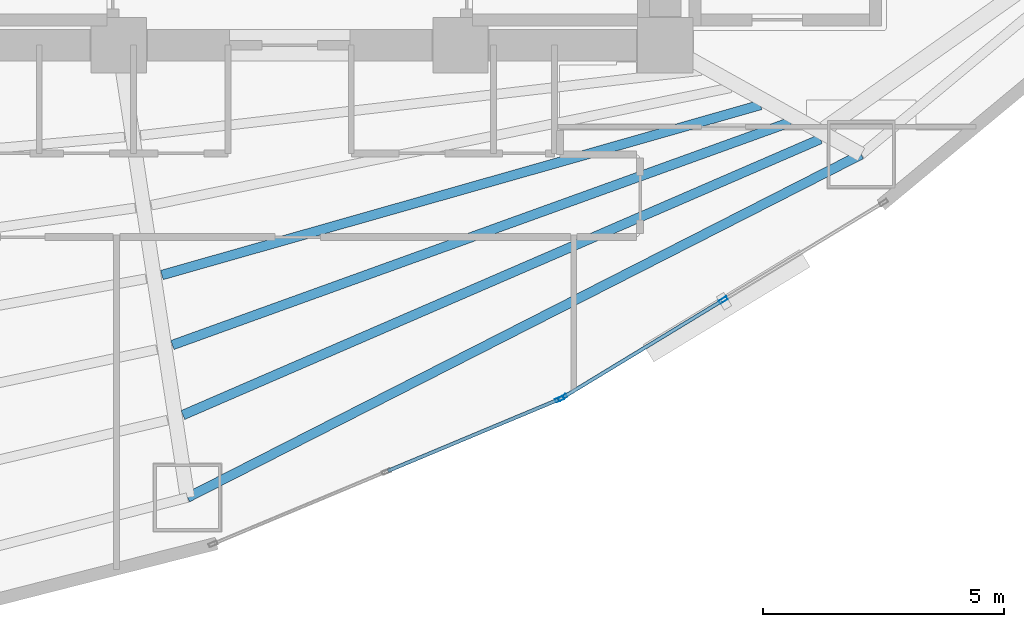
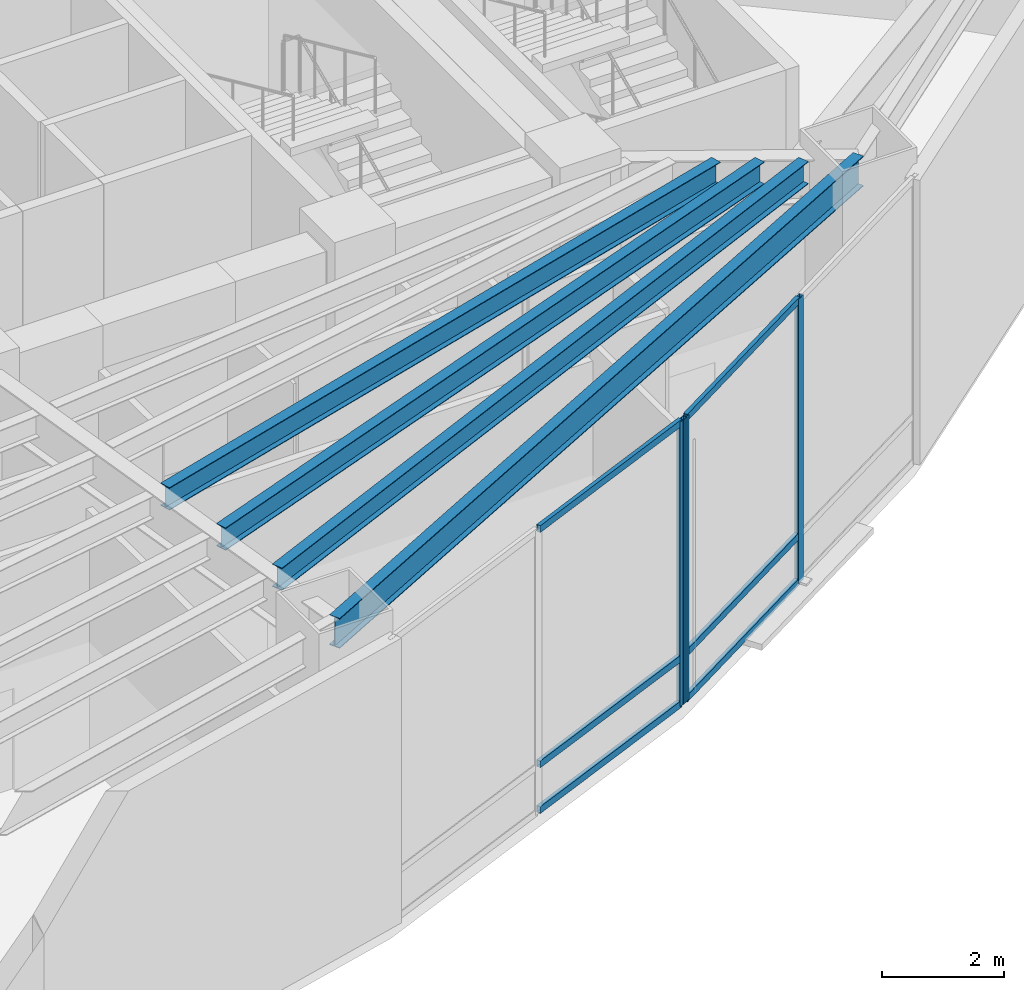
# One storey, part 5 of 19: 9 members, 4 beams, 2 elements without a shape of their own.
"""IFC4 building model written with IfcOpenShell, lengths in metres."""

from ifc_helpers import new_model, si_unit, direction, frame, origin, origin_2d, place, context, subcontext, project, spatial, hollow_rectangle, i_section, extrude, material, layer, layer_set, material_profile, profile_set, type_object, element, aggregate, save


model = new_model("IFC4")

# Units and contexts
model_context = context("Model", 3, precision=1e-05, world=origin(), true_north=direction((0.0, 1.0)))
body_context = subcontext(model_context, "Body", "Model", "MODEL_VIEW")
ifc_project = project(units=[si_unit("LENGTHUNIT", "METRE"), si_unit("AREAUNIT", "SQUARE_METRE"), si_unit("VOLUMEUNIT", "CUBIC_METRE"), si_unit("PLANEANGLEUNIT", "RADIAN"), si_unit("MASSUNIT", "GRAM", prefix="KILO")], contexts=[model_context])

# Site, building, storey
site_placement = place(None, origin())
site = spatial("IfcSite", under=ifc_project, at=site_placement, CompositionType="ELEMENT")
building_placement = place(site_placement, origin())
building = spatial("IfcBuilding", under=site, at=building_placement, Name="Menara Vayukalpa", CompositionType="ELEMENT")
storey_placement = place(building_placement, frame((0.0, 0.0, 12.0)))
storey = spatial("IfcBuildingStorey", under=building, at=storey_placement, Name="L02", CompositionType="ELEMENT", Elevation=12.0)

# Beams
ifc_material_1 = material(Name="Steel S355", Category="steel")
ifc_material_profile_1 = material_profile(ifc_material_1, i_section(OverallWidth=0.199951171875, OverallDepth=0.449951171875, WebThickness=0.009033203125, FlangeThickness=0.013916015625, at=origin_2d()), Name="WF 450x200x9x14")
ifc_profile_set_1 = profile_set([ifc_material_profile_1], Name="Steel S355")
beam_type_1 = type_object("IfcBeamType", Name="BM-SJ1", PredefinedType="JOIST", material=ifc_profile_set_1)
beam_1_placement = place(storey_placement, frame((22.945068359375, 12.423095703125, 5.455078125), z_axis=(0.961920522013, 0.273329305656, 0.0), x_axis=(-0.273329305656, 0.961920522013, 0.0)))
element("IfcBeam", 1, at=beam_1_placement, inside=storey, type_object=beam_type_1, Name="L02 Secondary Floor Joist SJ08-3", PredefinedType="JOIST", context=body_context, shape_type="SweptSolid", body=[
    extrude(i_section(OverallWidth=0.199951171875, OverallDepth=0.449951171875, WebThickness=0.009033203125, FlangeThickness=0.013916015625, at=origin_2d()), origin(), (0.0, 0.0, 1.0), 12.93017578125),
])
beam_2_placement = place(storey_placement, frame((23.16357421875, 10.9697265625, 5.455078125), z_axis=(0.94065210614, 0.339372384284, 0.0), x_axis=(-0.339372384284, 0.94065210614, 0.0)))
element("IfcBeam", 2, at=beam_2_placement, inside=storey, type_object=beam_type_1, Name="L02 Secondary Floor Joist SJ08-4", PredefinedType="JOIST", context=body_context, shape_type="SweptSolid", body=[
    extrude(i_section(OverallWidth=0.199951171875, OverallDepth=0.449951171875, WebThickness=0.009033203125, FlangeThickness=0.013916015625, at=origin_2d()), origin(), (0.0, 0.0, 1.0), 13.649658203125),
])
beam_3_placement = place(storey_placement, frame((23.381591796875, 9.51513671875, 5.455078125), z_axis=(0.91768786967, 0.397302119125, 0.0), x_axis=(-0.397302119125, 0.91768786967, 0.0)))
element("IfcBeam", 3, at=beam_3_placement, inside=storey, type_object=beam_type_1, Name="L02 Secondary Floor Joist SJ08-5", PredefinedType="JOIST", context=body_context, shape_type="SweptSolid", body=[
    extrude(i_section(OverallWidth=0.199951171875, OverallDepth=0.449951171875, WebThickness=0.009033203125, FlangeThickness=0.013916015625, at=origin_2d()), origin(), (0.0, 0.0, 1.0), 14.43017578125),
])
ifc_material_2 = material(Name="Steel S355", Category="steel")
ifc_material_profile_2 = material_profile(ifc_material_2, i_section(OverallWidth=0.199951171875, OverallDepth=0.60009765625, WebThickness=0.010986328125, FlangeThickness=0.01708984375, at=origin_2d()), Name="WF 600x200x11x17")
ifc_profile_set_2 = profile_set([ifc_material_profile_2], Name="Steel S355")
beam_type_2 = type_object("IfcBeamType", Name="BM-SP1", PredefinedType="SPANDREL", material=ifc_profile_set_2)
beam_4_placement = place(storey_placement, frame((23.4755859375, 7.80029296875, 5.3798828125), z_axis=(0.891101872915, 0.453803318726, 0.0), x_axis=(-0.453803318726, 0.891101872915, 0.0)))
element("IfcBeam", 4, at=beam_4_placement, inside=storey, type_object=beam_type_2, Name="L02 Perimeter Spandrel Beam SP08", PredefinedType="SPANDREL", context=body_context, shape_type="SweptSolid", body=[
    extrude(i_section(OverallWidth=0.199951171875, OverallDepth=0.60009765625, WebThickness=0.010986328125, FlangeThickness=0.01708984375, at=origin_2d()), origin(), (0.0, 0.0, 1.0), 15.709228515625),
])

# Curtain wall, member
ifc_material_3 = material(Name="Anodised Terracotta Aluminium Alloy 6063-T6", Category="masonry")
ifc_layer = layer(ifc_material_3, 0.179931640625)
ifc_layer_set = layer_set([ifc_layer], Name="Anodised Terracotta Aluminium Alloy 6063-T6")
curtain_wall_type = type_object("IfcCurtainWallType", Name="CW-CW1", PredefinedType="USERDEFINED", material=ifc_layer_set)
curtain_wall_1_placement = place(storey_placement, origin())
curtain_wall_1 = element("IfcCurtainWall", 5, at=curtain_wall_1_placement, inside=storey, type_object=curtain_wall_type, Name="L02 Podium Unitised Ribbon Curtain Wall CW1 16", ObjectType="UNITISED", PredefinedType="USERDEFINED")
ifc_material_4 = material(Name="Anodised Terracotta Aluminium Alloy 6063-T6", Category="masonry")
ifc_material_profile_3 = material_profile(ifc_material_4, hollow_rectangle(XDim=0.074951171875, YDim=0.179931640625, WallThickness=0.00390625, at=origin_2d()), Name="ALU 75x180x4")
ifc_profile_set_3 = profile_set([ifc_material_profile_3], Name="Anodised Terracotta Aluminium Alloy 6063-T6")
member_type_1 = type_object("IfcMemberType", Name="CWM-CW1", PredefinedType="MULLION", material=ifc_profile_set_3)
member_1_placement = place(storey_placement, frame((31.206787109375, 9.844970703125, 0.0), z_axis=(0.0, 0.0, 1.0), x_axis=(-0.385890613077, 0.922544543499, 0.0)))
member_1 = element("IfcMember", 6, at=member_1_placement, type_object=member_type_1, Name="CW1 mullion 3", PredefinedType="MULLION", context=body_context, shape_type="SweptSolid", body=[
    extrude(hollow_rectangle(XDim=0.074951171875, YDim=0.179931640625, WallThickness=0.00390625, at=origin_2d()), origin(), (0.0, 0.0, 1.0), 5.679931640625),
])

# Curtain wall, members
curtain_wall_2_placement = place(storey_placement, origin())
curtain_wall_2 = element("IfcCurtainWall", 7, at=curtain_wall_2_placement, inside=storey, type_object=curtain_wall_type, Name="L02 Podium Unitised Ribbon Curtain Wall CW1 17", ObjectType="UNITISED", PredefinedType="USERDEFINED")
member_2_placement = place(storey_placement, frame((31.2734375, 9.87890625, 0.0), z_axis=(0.0, 0.0, 1.0), x_axis=(-0.519179879231, 0.854664994604, 0.0)))
member_2 = element("IfcMember", 8, at=member_2_placement, type_object=member_type_1, Name="CW1 mullion 1", PredefinedType="MULLION", context=body_context, shape_type="SweptSolid", body=[
    extrude(hollow_rectangle(XDim=0.074951171875, YDim=0.179931640625, WallThickness=0.00390625, at=origin_2d()), origin(), (0.0, 0.0, 1.0), 5.679931640625),
])
member_3_placement = place(storey_placement, frame((34.607177734375, 11.904296875, 0.0), z_axis=(0.0, 0.0, 1.0), x_axis=(-0.519179879231, 0.854664994604, 0.0)))
member_3 = element("IfcMember", 9, at=member_3_placement, type_object=member_type_1, Name="CW1 mullion 2", PredefinedType="MULLION", context=body_context, shape_type="SweptSolid", body=[
    extrude(hollow_rectangle(XDim=0.074951171875, YDim=0.179931640625, WallThickness=0.00390625, at=origin_2d()), origin(), (0.0, 0.0, 1.0), 5.679931640625),
])

# Member
ifc_material_5 = material(Name="Anodised Terracotta Aluminium Alloy 6063-T6", Category="masonry")
ifc_material_profile_4 = material_profile(ifc_material_5, hollow_rectangle(XDim=0.074951171875, YDim=0.135009765625, WallThickness=0.00390625, at=origin_2d()), Name="ALU 75x135x4")
ifc_profile_set_4 = profile_set([ifc_material_profile_4], Name="Anodised Terracotta Aluminium Alloy 6063-T6")
member_type_2 = type_object("IfcMemberType", Name="CWT-CW1", PredefinedType="USERDEFINED", material=ifc_profile_set_4)
member_4_placement = place(storey_placement, frame((27.642578125, 8.354248046875, 0.03759765625), z_axis=(0.922549314237, 0.385879207525, 0.0), x_axis=(-0.385879207525, 0.922549314237, 0.0)))
member_4 = element("IfcMember", 10, at=member_4_placement, type_object=member_type_2, Name="CW1 transom 2.1", ObjectType="TRANSOM", PredefinedType="USERDEFINED", context=body_context, shape_type="SweptSolid", body=[
    extrude(hollow_rectangle(XDim=0.074951171875, YDim=0.135009765625, WallThickness=0.00390625, at=origin_2d()), origin(), (0.0, 0.0, 1.0), 3.825927734375),
])

member_5_placement = place(storey_placement, frame((27.642578125, 8.354248046875, 0.949951171875), z_axis=(0.922549314237, 0.385879207525, 0.0), x_axis=(-0.385879207525, 0.922549314237, 0.0)))
member_5 = element("IfcMember", 11, at=member_5_placement, type_object=member_type_2, Name="CW1 transom 2.2", ObjectType="TRANSOM", PredefinedType="USERDEFINED", context=body_context, shape_type="SweptSolid", body=[
    extrude(hollow_rectangle(XDim=0.074951171875, YDim=0.135009765625, WallThickness=0.00390625, at=origin_2d()), origin(), (0.0, 0.0, 1.0), 3.825927734375),
])

member_6_placement = place(storey_placement, frame((27.642578125, 8.354248046875, 5.642578125), z_axis=(0.922549314237, 0.385879207525, 0.0), x_axis=(-0.385879207525, 0.922549314237, 0.0)))
member_6 = element("IfcMember", 12, at=member_6_placement, type_object=member_type_2, Name="CW1 transom 2.3", ObjectType="TRANSOM", PredefinedType="USERDEFINED", context=body_context, shape_type="SweptSolid", body=[
    extrude(hollow_rectangle(XDim=0.074951171875, YDim=0.135009765625, WallThickness=0.00390625, at=origin_2d()), origin(), (0.0, 0.0, 1.0), 3.825927734375),
])

aggregate(curtain_wall_1, [member_1, member_4, member_5, member_6])

member_7_placement = place(storey_placement, frame((31.305419921875, 9.8984375, 0.03759765625), z_axis=(0.85465908819, 0.519189602144, 0.0), x_axis=(-0.519189602144, 0.85465908819, 0.0)))
member_7 = element("IfcMember", 13, at=member_7_placement, type_object=member_type_2, Name="CW1 transom 1.1", ObjectType="TRANSOM", PredefinedType="USERDEFINED", context=body_context, shape_type="SweptSolid", body=[
    extrude(hollow_rectangle(XDim=0.074951171875, YDim=0.135009765625, WallThickness=0.00390625, at=origin_2d()), origin(), (0.0, 0.0, 1.0), 3.825927734375),
])

member_8_placement = place(storey_placement, frame((31.305419921875, 9.8984375, 0.949951171875), z_axis=(0.85465908819, 0.519189602144, 0.0), x_axis=(-0.519189602144, 0.85465908819, 0.0)))
member_8 = element("IfcMember", 14, at=member_8_placement, type_object=member_type_2, Name="CW1 transom 1.2", ObjectType="TRANSOM", PredefinedType="USERDEFINED", context=body_context, shape_type="SweptSolid", body=[
    extrude(hollow_rectangle(XDim=0.074951171875, YDim=0.135009765625, WallThickness=0.00390625, at=origin_2d()), origin(), (0.0, 0.0, 1.0), 3.825927734375),
])

member_9_placement = place(storey_placement, frame((31.305419921875, 9.8984375, 5.642578125), z_axis=(0.85465908819, 0.519189602144, 0.0), x_axis=(-0.519189602144, 0.85465908819, 0.0)))
member_9 = element("IfcMember", 15, at=member_9_placement, type_object=member_type_2, Name="CW1 transom 1.3", ObjectType="TRANSOM", PredefinedType="USERDEFINED", context=body_context, shape_type="SweptSolid", body=[
    extrude(hollow_rectangle(XDim=0.074951171875, YDim=0.135009765625, WallThickness=0.00390625, at=origin_2d()), origin(), (0.0, 0.0, 1.0), 3.825927734375),
])

aggregate(curtain_wall_2, [member_2, member_3, member_7, member_8, member_9])

save(model, "model.ifc")
